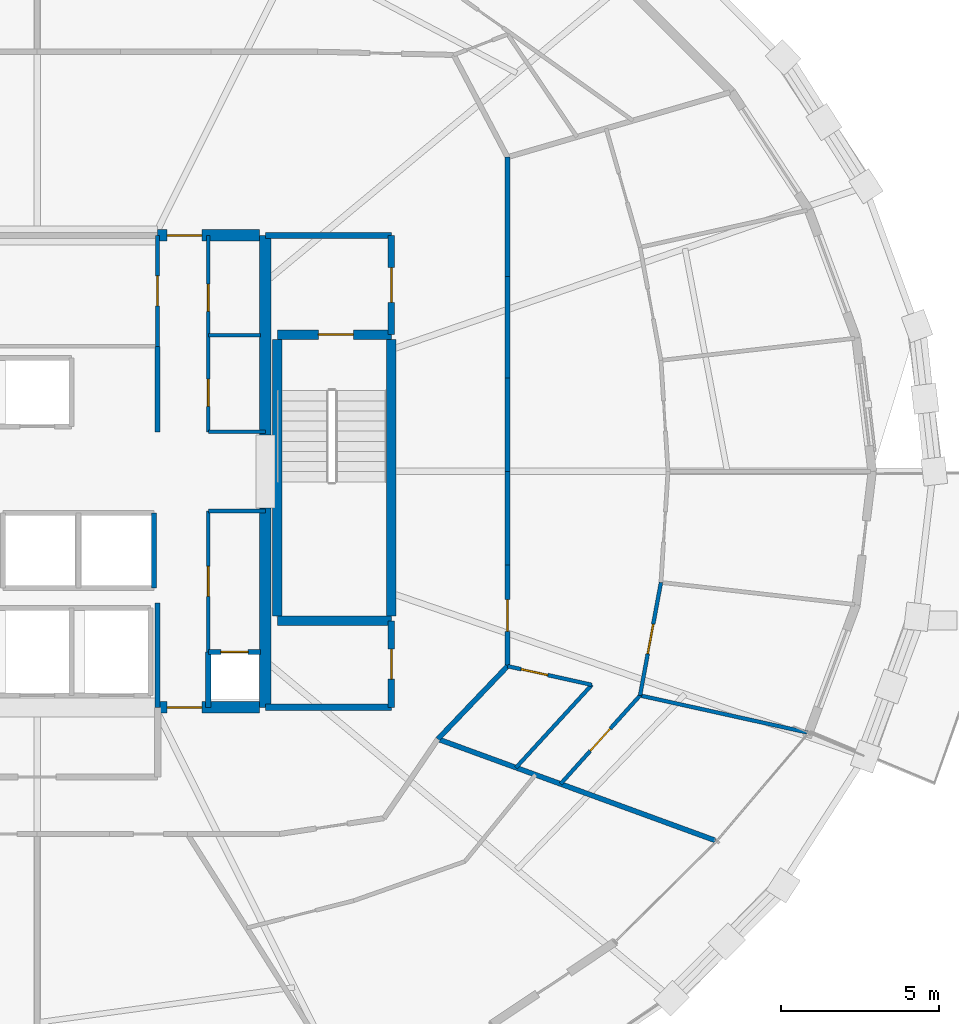
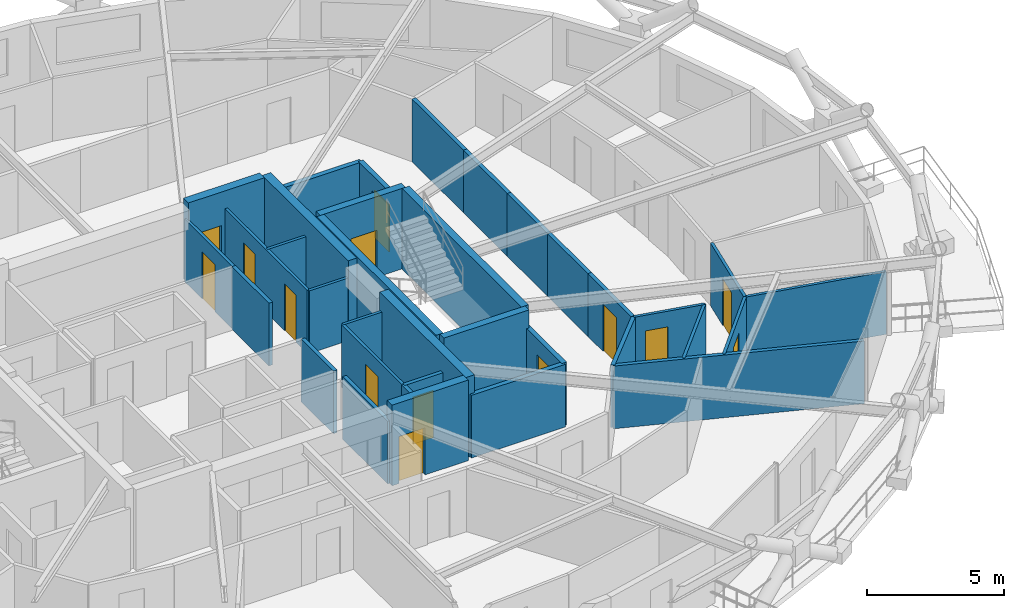
# One storey, part 11 of 14: 35 walls, 14 doors, 14 openings.
"""IFC4 building model written with IfcOpenShell, lengths in metres."""

from ifc_helpers import new_model, si_unit, direction, frame, frame_2d, origin, place, context, subcontext, project, spatial, rectangle, extrude, material, layer, layer_set, type_object, element, fill, save


model = new_model("IFC4")

# Units and contexts
model_context = context("Model", 3, precision=1e-05, world=origin(), true_north=direction((0.0, 1.0)))
body_context = subcontext(model_context, "Body", "Model", "MODEL_VIEW")
ifc_project = project(units=[si_unit("LENGTHUNIT", "METRE"), si_unit("AREAUNIT", "SQUARE_METRE"), si_unit("VOLUMEUNIT", "CUBIC_METRE"), si_unit("PLANEANGLEUNIT", "RADIAN"), si_unit("MASSUNIT", "GRAM", prefix="KILO")], contexts=[model_context])

# Site, building, storey
site_placement = place(None, origin())
site = spatial("IfcSite", under=ifc_project, at=site_placement, CompositionType="ELEMENT")
building_placement = place(site_placement, origin())
building = spatial("IfcBuilding", under=site, at=building_placement, Name="Veldorina Hangang Commons", CompositionType="ELEMENT")
storey_placement = place(building_placement, frame((0.0, 0.0, 149.60009765625)))
storey = spatial("IfcBuildingStorey", under=building, at=storey_placement, Name="L38", CompositionType="ELEMENT", Elevation=149.60009765625)

# Walls
ifc_material_1 = material(Name="Concrete C60/75", Category="concrete")
ifc_layer_1 = layer(ifc_material_1, 0.360107421875)
ifc_layer_set_1 = layer_set([ifc_layer_1], Name="Concrete C60/75")
wall_type_1 = type_object("IfcWallType", Name="CW-RC360-C60", PredefinedType="SHEAR", material=ifc_layer_set_1)
for number, where, z_axis, x_axis, name in (
    (1, (39.199951171875, 16.550048828125, 0.0), (0.0, 0.0, 1.0), (0.0, 1.0, 0.0), "L38 E south core shear wall"),
    (2, (39.199951171875, 25.14990234375, 0.0), (0.0, 0.0, 1.0), (0.0, 1.0, 0.0), "L38 E north core shear wall"),
):
    element("IfcWall", number, at=place(storey_placement, frame(where, z_axis=z_axis, x_axis=x_axis)), inside=storey, type_object=wall_type_1, Name=name, PredefinedType="SHEAR", context=body_context, shape_type="SweptSolid", body=[
        extrude(rectangle(XDim=6.300048828125, YDim=0.360107421875, at=frame_2d((3.14990234375, 0.0))), origin(), (0.0, 0.0, 1.0), 3.599853515625),
    ])

# Wall, opening, door
wall_1_placement = place(storey_placement, frame((35.800048828125, 16.550048828125, 0.0), z_axis=(0.0, 0.0, 1.0), x_axis=(1.0, 0.0, 0.0)))
wall_1 = element("IfcWall", 3, at=wall_1_placement, inside=storey, type_object=wall_type_1, Name="L38 south-east core shear wall", PredefinedType="SHEAR", context=body_context, shape_type="SweptSolid", body=[
    extrude(rectangle(XDim=3.219970703125, YDim=0.360107421875, at=frame_2d((1.60986328125, 0.0))), origin(), (0.0, 0.0, 1.0), 3.599853515625),
])
opening_1_placement = place(wall_1_placement, frame((0.300048828125, 0.0, 0.0)))
opening_1 = element("IfcOpeningElement", 4, at=opening_1_placement, cuts=wall_1, Name="Opening D-08", PredefinedType="OPENING", context=body_context, shape_type="SweptSolid", body=[
    extrude(rectangle(XDim=1.10009765625, YDim=2.10009765625, at=frame_2d((0.550048828125, 1.050048828125))), frame((0.0, 0.18994140625, 0.0), z_axis=(0.0, -1.0, 0.0), x_axis=(1.0, 0.0, 0.0)), (0.0, 0.0, 1.0), 0.380126953125),
])
ifc_material_2 = material(Name="Steel Fire-Rated Smoke Seal", Category="steel")
door_type_1 = type_object("IfcDoorType", Name="DR-FIRE-1100", OperationType="SINGLE_SWING_RIGHT", PredefinedType="DOOR", material=ifc_material_2)
door_1_placement = place(opening_1_placement, origin())
door_1 = element("IfcDoor", 5, at=door_1_placement, inside=storey, type_object=door_type_1, Name="L38 central lift lobby south corridor door", OperationType="SINGLE_SWING_RIGHT", OverallHeight=2.10009765625, OverallWidth=1.10009765625, PredefinedType="DOOR", context=body_context, shape_type="SweptSolid", body=[
    extrude(rectangle(XDim=1.10009765625, YDim=2.10009765625, at=frame_2d((0.550048828125, 1.050048828125))), frame((0.0, 0.02490234375, 0.0), z_axis=(0.0, -1.0, 0.0), x_axis=(1.0, 0.0, 0.0)), (0.0, 0.0, 1.0), 0.050048828125),
])
fill(opening_1, door_1)

wall_2_placement = place(storey_placement, frame((35.800048828125, 31.449951171875, 0.0), z_axis=(0.0, 0.0, 1.0), x_axis=(1.0, 0.0, 0.0)))
wall_2 = element("IfcWall", 6, at=wall_2_placement, inside=storey, type_object=wall_type_1, Name="L38 north-east core shear wall", PredefinedType="SHEAR", context=body_context, shape_type="SweptSolid", body=[
    extrude(rectangle(XDim=3.219970703125, YDim=0.360107421875, at=frame_2d((1.60986328125, 0.0))), origin(), (0.0, 0.0, 1.0), 3.599853515625),
])
opening_2_placement = place(wall_2_placement, frame((0.300048828125, 0.0, 0.0)))
opening_2 = element("IfcOpeningElement", 7, at=opening_2_placement, cuts=wall_2, Name="Opening D-08", PredefinedType="OPENING", context=body_context, shape_type="SweptSolid", body=[
    extrude(rectangle(XDim=1.10009765625, YDim=2.10009765625, at=frame_2d((0.550048828125, 1.050048828125))), frame((0.0, 0.18994140625, 0.0), z_axis=(0.0, -1.0, 0.0), x_axis=(1.0, 0.0, 0.0)), (0.0, 0.0, 1.0), 0.380126953125),
])
door_2_placement = place(opening_2_placement, origin())
door_2 = element("IfcDoor", 8, at=door_2_placement, inside=storey, type_object=door_type_1, Name="L38 central lift lobby north corridor door", OperationType="SINGLE_SWING_LEFT", OverallHeight=2.10009765625, OverallWidth=1.10009765625, PredefinedType="DOOR", context=body_context, shape_type="SweptSolid", body=[
    extrude(rectangle(XDim=1.10009765625, YDim=2.10009765625, at=frame_2d((0.550048828125, 1.050048828125))), frame((0.0, 0.02490234375, 0.0), z_axis=(0.0, -1.0, 0.0), x_axis=(1.0, 0.0, 0.0)), (0.0, 0.0, 1.0), 0.050048828125),
])
fill(opening_2, door_2)

# Walls
ifc_material_3 = material(Name="Concrete C50/60", Category="concrete")
ifc_layer_2 = layer(ifc_material_3, 0.300048828125)
ifc_layer_set_2 = layer_set([ifc_layer_2], Name="Concrete C50/60")
wall_type_2 = type_object("IfcWallType", Name="SW-STAIR-300", PredefinedType="SHEAR", material=ifc_layer_set_2)
for number, where, z_axis, x_axis, name in (
    (9, (43.179931640625, 19.429931640625, 0.0), (0.0, 0.0, 1.0), (0.0, 1.0, 0.0), "L38 ST2 outer stair shear wall"),
    (10, (39.580078125, 19.429931640625, 0.0), (0.0, 0.0, 1.0), (0.0, 1.0, 0.0), "L38 ST2 inner stair shear wall"),
):
    element("IfcWall", number, at=place(storey_placement, frame(where, z_axis=z_axis, x_axis=x_axis)), inside=storey, type_object=wall_type_2, Name=name, PredefinedType="SHEAR", context=body_context, shape_type="SweptSolid", body=[
        extrude(rectangle(XDim=8.739990234375, YDim=0.300048828125, at=frame_2d((4.3701171875, 0.0))), origin(), (0.0, 0.0, 1.0), 3.599853515625),
    ])
wall_3_placement = place(storey_placement, frame((39.580078125, 19.280029296875, 0.0), z_axis=(0.0, 0.0, 1.0), x_axis=(1.0, 0.0, 0.0)))
element("IfcWall", 11, at=wall_3_placement, inside=storey, type_object=wall_type_2, Name="L38 ST2 south stair shear wall", PredefinedType="SHEAR", context=body_context, shape_type="SweptSolid", body=[
    extrude(rectangle(XDim=3.599853515625, YDim=0.300048828125, at=frame_2d((1.7998046875, 0.0))), origin(), (0.0, 0.0, 1.0), 3.599853515625),
])

# Wall, opening, door
wall_4_placement = place(storey_placement, frame((39.580078125, 28.320068359375, 0.0), z_axis=(0.0, 0.0, 1.0), x_axis=(1.0, 0.0, 0.0)))
wall_4 = element("IfcWall", 12, at=wall_4_placement, inside=storey, type_object=wall_type_2, Name="L38 ST2 north stair shear wall", PredefinedType="SHEAR", context=body_context, shape_type="SweptSolid", body=[
    extrude(rectangle(XDim=3.599853515625, YDim=0.300048828125, at=frame_2d((1.7998046875, 0.0))), origin(), (0.0, 0.0, 1.0), 3.599853515625),
])
opening_3_placement = place(wall_4_placement, frame((1.300048828125, 0.0, 0.0)))
opening_3 = element("IfcOpeningElement", 13, at=opening_3_placement, cuts=wall_4, Name="Opening D-08", PredefinedType="OPENING", context=body_context, shape_type="SweptSolid", body=[
    extrude(rectangle(XDim=1.10009765625, YDim=2.10009765625, at=frame_2d((0.550048828125, 1.050048828125))), frame((0.0, 0.16015625, 0.0), z_axis=(0.0, -1.0, 0.0), x_axis=(1.0, 0.0, 0.0)), (0.0, 0.0, 1.0), 0.320068359375),
])
door_3_placement = place(opening_3_placement, origin())
door_3 = element("IfcDoor", 14, at=door_3_placement, inside=storey, type_object=door_type_1, Name="L38 Special Escape Stair ST-2 door", OperationType="SINGLE_SWING_RIGHT", OverallHeight=2.10009765625, OverallWidth=1.10009765625, PredefinedType="DOOR", context=body_context, shape_type="SweptSolid", body=[
    extrude(rectangle(XDim=1.10009765625, YDim=2.10009765625, at=frame_2d((0.550048828125, 1.050048828125))), frame((0.0, 0.02490234375, 0.0), z_axis=(0.0, -1.0, 0.0), x_axis=(1.0, 0.0, 0.0)), (0.0, 0.0, 1.0), 0.050048828125),
])
fill(opening_3, door_3)

# Walls
ifc_material_4 = material(Name="Gypsum Fire-Rated Twin Stud Wall", Category="gypsum")
ifc_layer_3 = layer(ifc_material_4, 0.159912109375)
ifc_layer_set_3 = layer_set([ifc_layer_3], Name="Gypsum Fire-Rated Twin Stud Wall")
wall_type_3 = type_object("IfcWallType", Name="WL-FIRE-160", PredefinedType="SOLIDWALL", material=ifc_layer_set_3)
wall_5_placement = place(storey_placement, frame((35.800048828125, 16.550048828125, 0.0), z_axis=(0.0, 0.0, 1.0), x_axis=(0.0, 1.0, 0.0)))
element("IfcWall", 15, at=wall_5_placement, inside=storey, type_object=wall_type_3, Name="L38 Lift passage SW wall 009", PredefinedType="SOLIDWALL", context=body_context, shape_type="SweptSolid", body=[
    extrude(rectangle(XDim=3.300048828125, YDim=0.159912109375, at=frame_2d((1.64990234375, 0.0))), origin(), (0.0, 0.0, 1.0), 2.7998046875),
])
wall_6_placement = place(storey_placement, frame((37.39990234375, 16.550048828125, 0.0), z_axis=(0.0, 0.0, 1.0), x_axis=(0.0, 1.0, 0.0)))
element("IfcWall", 16, at=wall_6_placement, inside=storey, type_object=wall_type_3, Name="L38 Lift passage SE stub 010", PredefinedType="SOLIDWALL", context=body_context, shape_type="SweptSolid", body=[
    extrude(rectangle(XDim=1.75, YDim=0.159912109375, at=frame_2d((0.875, 0.0))), origin(), (0.0, 0.0, 1.0), 2.7998046875),
])
wall_7_placement = place(storey_placement, frame((35.800048828125, 25.25, 0.0), z_axis=(0.0, 0.0, 1.0), x_axis=(0.0, 1.0, 0.0)))
element("IfcWall", 17, at=wall_7_placement, inside=storey, type_object=wall_type_3, Name="L38 Lift passage NW lower wall 011", PredefinedType="SOLIDWALL", context=body_context, shape_type="SweptSolid", body=[
    extrude(rectangle(XDim=2.699951171875, YDim=0.159912109375, at=frame_2d((1.35009765625, 0.0))), origin(), (0.0, 0.0, 1.0), 2.7998046875),
])
wall_8_placement = place(storey_placement, frame((35.679931640625, 20.320068359375, 0.0), z_axis=(0.0, 0.0, 1.0), x_axis=(0.0, 1.0, 0.0)))
element("IfcWall", 18, at=wall_8_placement, inside=storey, type_object=wall_type_3, Name="L38 SL-2 east shaft wall 024", PredefinedType="SOLIDWALL", context=body_context, shape_type="SweptSolid", body=[
    extrude(rectangle(XDim=2.35986328125, YDim=0.159912109375, at=frame_2d((1.179931640625, 0.0))), origin(), (0.0, 0.0, 1.0), 2.7998046875),
])

# Wall, opening, door
wall_9_placement = place(storey_placement, frame((37.39990234375, 18.300048828125, 0.0), z_axis=(0.0, 0.0, 1.0), x_axis=(1.0, 0.0, 0.0)))
wall_9 = element("IfcWall", 19, at=wall_9_placement, inside=storey, type_object=wall_type_3, Name="L38 Plumbing riser wall 036", PredefinedType="SOLIDWALL", context=body_context, shape_type="SweptSolid", body=[
    extrude(rectangle(XDim=1.650146484375, YDim=0.159912109375, at=frame_2d((0.8251953125, 0.0))), origin(), (0.0, 0.0, 1.0), 2.7998046875),
])
opening_4_placement = place(wall_9_placement, frame((0.39501953125, 0.0, 0.0)))
opening_4 = element("IfcOpeningElement", 20, at=opening_4_placement, cuts=wall_9, Name="Opening D-01N", PredefinedType="OPENING", context=body_context, shape_type="SweptSolid", body=[
    extrude(rectangle(XDim=0.860107421875, YDim=2.10009765625, at=frame_2d((0.43017578125, 1.050048828125))), frame((0.0, 0.08984375, 0.0), z_axis=(0.0, -1.0, 0.0), x_axis=(1.0, 0.0, 0.0)), (0.0, 0.0, 1.0), 0.179931640625),
])
ifc_material_5 = material(Name="Timber Fire-Rated Core", Category="wood")
door_type_2 = type_object("IfcDoorType", Name="DR-INT-860", OperationType="SINGLE_SWING_LEFT", PredefinedType="DOOR", material=ifc_material_5)
door_4_placement = place(opening_4_placement, origin())
door_4 = element("IfcDoor", 21, at=door_4_placement, inside=storey, type_object=door_type_2, Name="L38 Plumbing riser access door 013", OperationType="SINGLE_SWING_LEFT", OverallHeight=2.10009765625, OverallWidth=0.860107421875, PredefinedType="TRAPDOOR", context=body_context, shape_type="SweptSolid", body=[
    extrude(rectangle(XDim=0.860107421875, YDim=2.10009765625, at=frame_2d((0.43017578125, 1.050048828125))), frame((0.0, 0.02490234375, 0.0), z_axis=(0.0, -1.0, 0.0), x_axis=(1.0, 0.0, 0.0)), (0.0, 0.0, 1.0), 0.050048828125),
])
fill(opening_4, door_4)

# Walls
wall_10_placement = place(storey_placement, frame((46.85009765625, 24.0, 0.0), z_axis=(0.0, 0.0, 1.0), x_axis=(0.0, 1.0, 0.0)))
element("IfcWall", 22, at=wall_10_placement, inside=storey, type_object=wall_type_3, Name="L38 U-corridor outer wall 00 046", PredefinedType="SOLIDWALL", context=body_context, shape_type="SweptSolid", body=[
    extrude(rectangle(XDim=2.953857421875, YDim=0.159912109375, at=frame_2d((1.47705078125, 0.0))), origin(), (0.0, 0.0, 1.0), 2.7998046875),
])
wall_11_placement = place(storey_placement, frame((46.85009765625, 26.953857421875, 0.0), z_axis=(0.0, 0.0, 1.0), x_axis=(0.0, 1.0, 0.0)))
element("IfcWall", 23, at=wall_11_placement, inside=storey, type_object=wall_type_3, Name="L38 U-corridor outer wall 01 047", PredefinedType="SOLIDWALL", context=body_context, shape_type="SweptSolid", body=[
    extrude(rectangle(XDim=3.197265625, YDim=0.159912109375, at=frame_2d((1.5986328125, 0.0))), origin(), (0.0, 0.0, 1.0), 2.7998046875),
])
wall_12_placement = place(storey_placement, frame((46.85009765625, 30.151123046875, 0.0), z_axis=(0.0, 0.0, 1.0), x_axis=(0.0, 1.0, 0.0)))
element("IfcWall", 24, at=wall_12_placement, inside=storey, type_object=wall_type_3, Name="L38 U-corridor outer wall 02 048", PredefinedType="SOLIDWALL", context=body_context, shape_type="SweptSolid", body=[
    extrude(rectangle(XDim=3.771484375, YDim=0.159912109375, at=frame_2d((1.8857421875, 0.0))), origin(), (0.0, 0.0, 1.0), 2.7998046875),
])
wall_13_placement = place(storey_placement, frame((44.64990234375, 15.547607421875, 0.0), z_axis=(0.0, 0.0, 1.0), x_axis=(0.691055487108, 0.722801711216, 0.0)))
element("IfcWall", 25, at=wall_13_placement, inside=storey, type_object=wall_type_3, Name="L38 U-corridor outer wall 29 075", PredefinedType="SOLIDWALL", context=body_context, shape_type="SweptSolid", body=[
    extrude(rectangle(XDim=3.183837890625, YDim=0.159912109375, at=frame_2d((1.591796875, 0.0))), origin(), (0.0, 0.0, 1.0), 2.7998046875),
])

# Wall, opening, door
wall_14_placement = place(storey_placement, frame((46.85009765625, 17.848876953125, 0.0), z_axis=(0.0, 0.0, 1.0), x_axis=(0.0, 1.0, 0.0)))
wall_14 = element("IfcWall", 26, at=wall_14_placement, inside=storey, type_object=wall_type_3, Name="L38 U-corridor outer wall 30 076", PredefinedType="SOLIDWALL", context=body_context, shape_type="SweptSolid", body=[
    extrude(rectangle(XDim=3.197265625, YDim=0.159912109375, at=frame_2d((1.5986328125, 0.0))), origin(), (0.0, 0.0, 1.0), 2.7998046875),
])
opening_5_placement = place(wall_14_placement, frame((1.0986328125, 0.0, 0.0)))
opening_5 = element("IfcOpeningElement", 27, at=opening_5_placement, cuts=wall_14, Name="Opening D-06", PredefinedType="OPENING", context=body_context, shape_type="SweptSolid", body=[
    extrude(rectangle(XDim=1.0, YDim=2.10009765625, at=frame_2d((0.5, 1.050048828125))), frame((0.0, 0.08984375, 0.0), z_axis=(0.0, -1.0, 0.0), x_axis=(1.0, 0.0, 0.0)), (0.0, 0.0, 1.0), 0.179931640625),
])
ifc_material_6 = material(Name="Timber Fire-Rated Entrance Core", Category="wood")
door_type_3 = type_object("IfcDoorType", Name="DR-UNIT-1000", OperationType="SINGLE_SWING_LEFT", PredefinedType="DOOR", material=ifc_material_6)
door_5_placement = place(opening_5_placement, origin())
door_5 = element("IfcDoor", 28, at=door_5_placement, inside=storey, type_object=door_type_3, Name="L38 Cluster 2 entrance door 023", OperationType="SINGLE_SWING_LEFT", OverallHeight=2.10009765625, OverallWidth=1.0, PredefinedType="DOOR", context=body_context, shape_type="SweptSolid", body=[
    extrude(rectangle(XDim=1.0, YDim=2.10009765625, at=frame_2d((0.5, 1.050048828125))), frame((0.0, 0.02490234375, 0.0), z_axis=(0.0, -1.0, 0.0), x_axis=(1.0, 0.0, 0.0)), (0.0, 0.0, 1.0), 0.050048828125),
])
fill(opening_5, door_5)

# Walls
wall_15_placement = place(storey_placement, frame((46.85009765625, 21.046142578125, 0.0), z_axis=(0.0, 0.0, 1.0), x_axis=(0.0, 1.0, 0.0)))
element("IfcWall", 29, at=wall_15_placement, inside=storey, type_object=wall_type_3, Name="L38 U-corridor outer wall 31 077", PredefinedType="SOLIDWALL", context=body_context, shape_type="SweptSolid", body=[
    extrude(rectangle(XDim=2.953857421875, YDim=0.159912109375, at=frame_2d((1.47705078125, 0.0))), origin(), (0.0, 0.0, 1.0), 2.7998046875),
])
wall_16_placement = place(storey_placement, frame((44.64990234375, 15.547607421875, 0.0), z_axis=(0.0, 0.0, 1.0), x_axis=(0.939222726392, -0.343308418524, 0.0)))
element("IfcWall", 30, at=wall_16_placement, inside=storey, type_object=wall_type_3, Name="L38 Unit party wall 29 082", PredefinedType="SOLIDWALL", context=body_context, shape_type="SweptSolid", body=[
    extrude(rectangle(XDim=9.32666015625, YDim=0.159912109375, at=frame_2d((4.663330078125, 0.0))), origin(), (0.0, 0.0, 1.0), 2.7998046875),
])

# Wall, opening, door
ifc_material_7 = material(Name="Concrete Blockwork Fire Wall C30/37", Category="masonry")
ifc_layer_4 = layer(ifc_material_7, 0.199951171875)
ifc_layer_set_4 = layer_set([ifc_layer_4], Name="Concrete Blockwork Fire Wall C30/37")
wall_type_4 = type_object("IfcWallType", Name="WL-FIRE-200", PredefinedType="SOLIDWALL", material=ifc_layer_set_4)
wall_17_placement = place(storey_placement, frame((43.179931640625, 28.320068359375, 0.0), z_axis=(0.0, 0.0, 1.0), x_axis=(0.0, 1.0, 0.0)))
wall_17 = element("IfcWall", 31, at=wall_17_placement, inside=storey, type_object=wall_type_4, Name="L38 East vestibule outer wall 003", PredefinedType="SOLIDWALL", context=body_context, shape_type="SweptSolid", body=[
    extrude(rectangle(XDim=3.1298828125, YDim=0.199951171875, at=frame_2d((1.56494140625, 0.0))), origin(), (0.0, 0.0, 1.0), 2.7998046875),
])
opening_6_placement = place(wall_17_placement, frame((1.014892578125, 0.0, 0.0)))
opening_6 = element("IfcOpeningElement", 32, at=opening_6_placement, cuts=wall_17, Name="Opening D-08", PredefinedType="OPENING", context=body_context, shape_type="SweptSolid", body=[
    extrude(rectangle(XDim=1.10009765625, YDim=2.10009765625, at=frame_2d((0.550048828125, 1.050048828125))), frame((0.0, 0.10986328125, 0.0), z_axis=(0.0, -1.0, 0.0), x_axis=(1.0, 0.0, 0.0)), (0.0, 0.0, 1.0), 0.219970703125),
])
door_6_placement = place(opening_6_placement, origin())
door_6 = element("IfcDoor", 33, at=door_6_placement, inside=storey, type_object=door_type_1, Name="L38 East vestibule east door 002", OperationType="SINGLE_SWING_RIGHT", OverallHeight=2.10009765625, OverallWidth=1.10009765625, PredefinedType="DOOR", context=body_context, shape_type="SweptSolid", body=[
    extrude(rectangle(XDim=1.10009765625, YDim=2.10009765625, at=frame_2d((0.550048828125, 1.050048828125))), frame((0.0, 0.02490234375, 0.0), z_axis=(0.0, -1.0, 0.0), x_axis=(1.0, 0.0, 0.0)), (0.0, 0.0, 1.0), 0.050048828125),
])
fill(opening_6, door_6)

# Wall
wall_18_placement = place(storey_placement, frame((39.199951171875, 31.449951171875, 0.0), z_axis=(0.0, 0.0, 1.0), x_axis=(1.0, 0.0, 0.0)))
element("IfcWall", 34, at=wall_18_placement, inside=storey, type_object=wall_type_4, Name="L38 East vestibule north wall 004", PredefinedType="SOLIDWALL", context=body_context, shape_type="SweptSolid", body=[
    extrude(rectangle(XDim=3.97998046875, YDim=0.199951171875, at=frame_2d((1.989990234375, 0.0))), origin(), (0.0, 0.0, 1.0), 2.7998046875),
])

# Wall, opening, door
wall_19_placement = place(storey_placement, frame((43.179931640625, 16.550048828125, 0.0), z_axis=(0.0, 0.0, 1.0), x_axis=(0.0, 1.0, 0.0)))
wall_19 = element("IfcWall", 35, at=wall_19_placement, inside=storey, type_object=wall_type_4, Name="L38 SE core room outer wall 007", PredefinedType="SOLIDWALL", context=body_context, shape_type="SweptSolid", body=[
    extrude(rectangle(XDim=2.72998046875, YDim=0.199951171875, at=frame_2d((1.364990234375, 0.0))), origin(), (0.0, 0.0, 1.0), 2.7998046875),
])
opening_7_placement = place(wall_19_placement, frame((0.889892578125, 0.0, 0.0)))
opening_7 = element("IfcOpeningElement", 36, at=opening_7_placement, cuts=wall_19, Name="Opening D-02", PredefinedType="OPENING", context=body_context, shape_type="SweptSolid", body=[
    extrude(rectangle(XDim=0.949951171875, YDim=2.10009765625, at=frame_2d((0.47509765625, 1.050048828125))), frame((0.0, 0.10986328125, 0.0), z_axis=(0.0, -1.0, 0.0), x_axis=(1.0, 0.0, 0.0)), (0.0, 0.0, 1.0), 0.219970703125),
])
ifc_material_8 = material(Name="Timber Solid Core Acoustic", Category="wood")
door_type_4 = type_object("IfcDoorType", Name="DR-INT-950", OperationType="SINGLE_SWING_LEFT", PredefinedType="DOOR", material=ifc_material_8)
door_7_placement = place(opening_7_placement, origin())
door_7 = element("IfcDoor", 37, at=door_7_placement, inside=storey, type_object=door_type_4, Name="L38 SE core WC door 004", OperationType="SINGLE_SWING_RIGHT", OverallHeight=2.10009765625, OverallWidth=0.949951171875, PredefinedType="DOOR", context=body_context, shape_type="SweptSolid", body=[
    extrude(rectangle(XDim=0.949951171875, YDim=2.10009765625, at=frame_2d((0.47509765625, 1.050048828125))), frame((0.0, 0.02490234375, 0.0), z_axis=(0.0, -1.0, 0.0), x_axis=(1.0, 0.0, 0.0)), (0.0, 0.0, 1.0), 0.050048828125),
])
fill(opening_7, door_7)

# Wall
wall_20_placement = place(storey_placement, frame((39.199951171875, 16.550048828125, 0.0), z_axis=(0.0, 0.0, 1.0), x_axis=(1.0, 0.0, 0.0)))
element("IfcWall", 38, at=wall_20_placement, inside=storey, type_object=wall_type_4, Name="L38 SE core room south wall 008", PredefinedType="SOLIDWALL", context=body_context, shape_type="SweptSolid", body=[
    extrude(rectangle(XDim=3.97998046875, YDim=0.199951171875, at=frame_2d((1.989990234375, 0.0))), origin(), (0.0, 0.0, 1.0), 2.7998046875),
])

# Wall, opening, door
ifc_material_9 = material(Name="Gypsum Acoustic Stud Partition", Category="gypsum")
ifc_layer_5 = layer(ifc_material_9, 0.1201171875)
ifc_layer_set_5 = layer_set([ifc_layer_5], Name="Gypsum Acoustic Stud Partition")
wall_type_5 = type_object("IfcWallType", Name="WL-PART-120", PredefinedType="PARTITIONING", material=ifc_layer_set_5)
wall_21_placement = place(storey_placement, frame((35.800048828125, 27.949951171875, 0.0), z_axis=(0.0, 0.0, 1.0), x_axis=(0.0, 1.0, 0.0)))
wall_21 = element("IfcWall", 39, at=wall_21_placement, inside=storey, type_object=wall_type_5, Name="L38 Merged north east wall 033", PredefinedType="PARTITIONING", context=body_context, shape_type="SweptSolid", body=[
    extrude(rectangle(XDim=3.5, YDim=0.1201171875, at=frame_2d((1.75, 0.0))), origin(), (0.0, 0.0, 1.0), 2.7998046875),
])
opening_8_placement = place(wall_21_placement, frame((1.27490234375, 0.0, 0.0)))
opening_8 = element("IfcOpeningElement", 40, at=opening_8_placement, cuts=wall_21, Name="Opening D-02", PredefinedType="OPENING", context=body_context, shape_type="SweptSolid", body=[
    extrude(rectangle(XDim=0.949951171875, YDim=2.10009765625, at=frame_2d((0.47509765625, 1.050048828125))), frame((0.0, 0.070068359375, 0.0), z_axis=(0.0, -1.0, 0.0), x_axis=(1.0, 0.0, 0.0)), (0.0, 0.0, 1.0), 0.14013671875),
])
door_8_placement = place(opening_8_placement, origin())
door_8 = element("IfcDoor", 41, at=door_8_placement, inside=storey, type_object=door_type_4, Name="L38 Merged north room lobby door 011", OperationType="SINGLE_SWING_LEFT", OverallHeight=2.10009765625, OverallWidth=0.949951171875, PredefinedType="DOOR", context=body_context, shape_type="SweptSolid", body=[
    extrude(rectangle(XDim=0.949951171875, YDim=2.10009765625, at=frame_2d((0.47509765625, 1.050048828125))), frame((0.0, 0.02490234375, 0.0), z_axis=(0.0, -1.0, 0.0), x_axis=(1.0, 0.0, 0.0)), (0.0, 0.0, 1.0), 0.050048828125),
])
fill(opening_8, door_8)

# Wall, openings, doors
wall_22_placement = place(storey_placement, frame((37.39990234375, 25.25, 0.0), z_axis=(0.0, 0.0, 1.0), x_axis=(0.0, 1.0, 0.0)))
wall_22 = element("IfcWall", 42, at=wall_22_placement, inside=storey, type_object=wall_type_5, Name="L38 NE strip lobby wall 040", PredefinedType="PARTITIONING", context=body_context, shape_type="SweptSolid", body=[
    extrude(rectangle(XDim=6.199951171875, YDim=0.1201171875, at=frame_2d((3.10009765625, 0.0))), origin(), (0.0, 0.0, 1.0), 2.7998046875),
])
opening_9_placement = place(wall_22_placement, frame((0.800048828125, 0.0, 0.0)))
opening_9 = element("IfcOpeningElement", 43, at=opening_9_placement, cuts=wall_22, Name="Opening D-01", PredefinedType="OPENING", context=body_context, shape_type="SweptSolid", body=[
    extrude(rectangle(XDim=0.860107421875, YDim=2.10009765625, at=frame_2d((0.43017578125, 1.050048828125))), frame((0.0, 0.070068359375, 0.0), z_axis=(0.0, -1.0, 0.0), x_axis=(1.0, 0.0, 0.0)), (0.0, 0.0, 1.0), 0.14013671875),
])
opening_10_placement = place(wall_22_placement, frame((3.800048828125, 0.0, 0.0)))
opening_10 = element("IfcOpeningElement", 44, at=opening_10_placement, cuts=wall_22, Name="Opening D-01", PredefinedType="OPENING", context=body_context, shape_type="SweptSolid", body=[
    extrude(rectangle(XDim=0.860107421875, YDim=2.10009765625, at=frame_2d((0.43017578125, 1.050048828125))), frame((0.0, 0.070068359375, 0.0), z_axis=(0.0, -1.0, 0.0), x_axis=(1.0, 0.0, 0.0)), (0.0, 0.0, 1.0), 0.14013671875),
])
ifc_material_10 = material(Name="Timber Moisture-Resistant Core", Category="wood")
door_type_5 = type_object("IfcDoorType", Name="DR-WET-860", OperationType="SINGLE_SWING_LEFT", PredefinedType="DOOR", material=ifc_material_10)
door_9_placement = place(opening_9_placement, origin())
door_9 = element("IfcDoor", 45, at=door_9_placement, inside=storey, type_object=door_type_5, Name="L38 Electrical closet door 017", OperationType="SINGLE_SWING_LEFT", OverallHeight=2.10009765625, OverallWidth=0.860107421875, PredefinedType="DOOR", context=body_context, shape_type="SweptSolid", body=[
    extrude(rectangle(XDim=0.860107421875, YDim=2.10009765625, at=frame_2d((0.43017578125, 1.050048828125))), frame((0.0, 0.02490234375, 0.0), z_axis=(0.0, -1.0, 0.0), x_axis=(1.0, 0.0, 0.0)), (0.0, 0.0, 1.0), 0.050048828125),
])
fill(opening_9, door_9)
door_10_placement = place(opening_10_placement, origin())
door_10 = element("IfcDoor", 46, at=door_10_placement, inside=storey, type_object=door_type_5, Name="L38 IT closet door 018", OperationType="SINGLE_SWING_RIGHT", OverallHeight=2.10009765625, OverallWidth=0.860107421875, PredefinedType="DOOR", context=body_context, shape_type="SweptSolid", body=[
    extrude(rectangle(XDim=0.860107421875, YDim=2.10009765625, at=frame_2d((0.43017578125, 1.050048828125))), frame((0.0, 0.02490234375, 0.0), z_axis=(0.0, -1.0, 0.0), x_axis=(1.0, 0.0, 0.0)), (0.0, 0.0, 1.0), 0.050048828125),
])
fill(opening_10, door_10)

# Wall
wall_23_placement = place(storey_placement, frame((37.39990234375, 25.25, 0.0), z_axis=(0.0, 0.0, 1.0), x_axis=(1.0, 0.0, 0.0)))
element("IfcWall", 47, at=wall_23_placement, inside=storey, type_object=wall_type_5, Name="L38 NE strip south return wall 041", PredefinedType="PARTITIONING", context=body_context, shape_type="SweptSolid", body=[
    extrude(rectangle(XDim=1.800048828125, YDim=0.1201171875, at=frame_2d((0.89990234375, 0.0))), origin(), (0.0, 0.0, 1.0), 2.7998046875),
])

# Wall, opening, door
wall_24_placement = place(storey_placement, frame((37.39990234375, 18.300048828125, 0.0), z_axis=(0.0, 0.0, 1.0), x_axis=(0.0, 1.0, 0.0)))
wall_24 = element("IfcWall", 48, at=wall_24_placement, inside=storey, type_object=wall_type_5, Name="L38 SE strip lobby wall 042", PredefinedType="PARTITIONING", context=body_context, shape_type="SweptSolid", body=[
    extrude(rectangle(XDim=4.449951171875, YDim=0.1201171875, at=frame_2d((2.22509765625, 0.0))), origin(), (0.0, 0.0, 1.0), 2.7998046875),
])
opening_11_placement = place(wall_24_placement, frame((1.75, 0.0, 0.0)))
opening_11 = element("IfcOpeningElement", 49, at=opening_11_placement, cuts=wall_24, Name="Opening D-02", PredefinedType="OPENING", context=body_context, shape_type="SweptSolid", body=[
    extrude(rectangle(XDim=0.949951171875, YDim=2.10009765625, at=frame_2d((0.47509765625, 1.050048828125))), frame((0.0, 0.070068359375, 0.0), z_axis=(0.0, -1.0, 0.0), x_axis=(1.0, 0.0, 0.0)), (0.0, 0.0, 1.0), 0.14013671875),
])
door_11_placement = place(opening_11_placement, origin())
door_11 = element("IfcDoor", 50, at=door_11_placement, inside=storey, type_object=door_type_4, Name="L38 Cleaners supply door 019", OperationType="SINGLE_SWING_LEFT", OverallHeight=2.10009765625, OverallWidth=0.949951171875, PredefinedType="DOOR", context=body_context, shape_type="SweptSolid", body=[
    extrude(rectangle(XDim=0.949951171875, YDim=2.10009765625, at=frame_2d((0.47509765625, 1.050048828125))), frame((0.0, 0.02490234375, 0.0), z_axis=(0.0, -1.0, 0.0), x_axis=(1.0, 0.0, 0.0)), (0.0, 0.0, 1.0), 0.050048828125),
])
fill(opening_11, door_11)

# Walls
wall_25_placement = place(storey_placement, frame((37.39990234375, 22.75, 0.0), z_axis=(0.0, 0.0, 1.0), x_axis=(1.0, 0.0, 0.0)))
element("IfcWall", 51, at=wall_25_placement, inside=storey, type_object=wall_type_5, Name="L38 SE strip north return wall 043", PredefinedType="PARTITIONING", context=body_context, shape_type="SweptSolid", body=[
    extrude(rectangle(XDim=1.800048828125, YDim=0.1201171875, at=frame_2d((0.89990234375, 0.0))), origin(), (0.0, 0.0, 1.0), 2.7998046875),
])
wall_26_placement = place(storey_placement, frame((37.39990234375, 28.300048828125, 0.0), z_axis=(0.0, 0.0, 1.0), x_axis=(1.0, 0.0, 0.0)))
element("IfcWall", 52, at=wall_26_placement, inside=storey, type_object=wall_type_5, Name="L38 NE mid wall 045", PredefinedType="PARTITIONING", context=body_context, shape_type="SweptSolid", body=[
    extrude(rectangle(XDim=1.650146484375, YDim=0.1201171875, at=frame_2d((0.8251953125, 0.0))), origin(), (0.0, 0.0, 1.0), 2.7998046875),
])
wall_27_placement = place(storey_placement, frame((47.115966796875, 14.646240234375, 0.0), z_axis=(0.0, 0.0, 1.0), x_axis=(0.675771389029, 0.737111273669, 0.0)))
element("IfcWall", 53, at=wall_27_placement, inside=storey, type_object=wall_type_5, Name="L38 Cluster 2 bath front wall 083", PredefinedType="PARTITIONING", context=body_context, shape_type="SweptSolid", body=[
    extrude(rectangle(XDim=3.54638671875, YDim=0.1201171875, at=frame_2d((1.773193359375, 0.0))), origin(), (0.0, 0.0, 1.0), 2.7998046875),
])

# Wall, opening, door
wall_28_placement = place(storey_placement, frame((46.85009765625, 17.848876953125, 0.0), z_axis=(0.0, 0.0, 1.0), x_axis=(0.976420347176, -0.215877987808, 0.0)))
wall_28 = element("IfcWall", 54, at=wall_28_placement, inside=storey, type_object=wall_type_5, Name="L38 Cluster 2 bath side wall 084", PredefinedType="PARTITIONING", context=body_context, shape_type="SweptSolid", body=[
    extrude(rectangle(XDim=2.7265625, YDim=0.1201171875, at=frame_2d((1.36328125, 0.0))), origin(), (0.0, 0.0, 1.0), 2.7998046875),
])
opening_12_placement = place(wall_28_placement, frame((0.43994140625, 0.0, 0.0)))
opening_12 = element("IfcOpeningElement", 55, at=opening_12_placement, cuts=wall_28, Name="Opening D-01", PredefinedType="OPENING", context=body_context, shape_type="SweptSolid", body=[
    extrude(rectangle(XDim=0.860107421875, YDim=2.10009765625, at=frame_2d((0.43017578125, 1.050048828125))), frame((0.0, 0.070068359375, 0.0), z_axis=(0.0, -1.0, 0.0), x_axis=(1.0, 0.0, 0.0)), (0.0, 0.0, 1.0), 0.14013671875),
])
door_12_placement = place(opening_12_placement, origin())
door_12 = element("IfcDoor", 56, at=door_12_placement, inside=storey, type_object=door_type_5, Name="L38 Cluster 2 shared bathroom door 022", OperationType="SINGLE_SWING_RIGHT", OverallHeight=2.10009765625, OverallWidth=0.860107421875, PredefinedType="DOOR", context=body_context, shape_type="SweptSolid", body=[
    extrude(rectangle(XDim=0.860107421875, YDim=2.10009765625, at=frame_2d((0.43017578125, 1.050048828125))), frame((0.0, 0.02490234375, 0.0), z_axis=(0.0, -1.0, 0.0), x_axis=(1.0, 0.0, 0.0)), (0.0, 0.0, 1.0), 0.050048828125),
])
fill(opening_12, door_12)

wall_29_placement = place(storey_placement, frame((48.52490234375, 14.131103515625, 0.0), z_axis=(0.0, 0.0, 1.0), x_axis=(0.668314174757, 0.743879132533, 0.0)))
wall_29 = element("IfcWall", 57, at=wall_29_placement, inside=storey, type_object=wall_type_5, Name="L38 Cluster 2 bed 1 front wall 085", PredefinedType="PARTITIONING", context=body_context, shape_type="SweptSolid", body=[
    extrude(rectangle(XDim=3.754150390625, YDim=0.1201171875, at=frame_2d((1.876953125, 0.0))), origin(), (0.0, 0.0, 1.0), 2.7998046875),
])
opening_13_placement = place(wall_29_placement, frame((1.402099609375, 0.0, 0.0)))
opening_13 = element("IfcOpeningElement", 58, at=opening_13_placement, cuts=wall_29, Name="Opening D-02", PredefinedType="OPENING", context=body_context, shape_type="SweptSolid", body=[
    extrude(rectangle(XDim=0.949951171875, YDim=2.10009765625, at=frame_2d((0.47509765625, 1.050048828125))), frame((0.0, 0.070068359375, 0.0), z_axis=(0.0, -1.0, 0.0), x_axis=(1.0, 0.0, 0.0)), (0.0, 0.0, 1.0), 0.14013671875),
])
door_13_placement = place(opening_13_placement, origin())
door_13 = element("IfcDoor", 59, at=door_13_placement, inside=storey, type_object=door_type_4, Name="L38 Cluster 2 bed 1 door 024", OperationType="SINGLE_SWING_RIGHT", OverallHeight=2.10009765625, OverallWidth=0.949951171875, PredefinedType="DOOR", context=body_context, shape_type="SweptSolid", body=[
    extrude(rectangle(XDim=0.949951171875, YDim=2.10009765625, at=frame_2d((0.47509765625, 1.050048828125))), frame((0.0, 0.02490234375, 0.0), z_axis=(0.0, -1.0, 0.0), x_axis=(1.0, 0.0, 0.0)), (0.0, 0.0, 1.0), 0.050048828125),
])
fill(opening_13, door_13)

wall_30_placement = place(storey_placement, frame((51.033935546875, 16.923828125, 0.0), z_axis=(0.0, 0.0, 1.0), x_axis=(0.181807554869, 0.9833341309, 0.0)))
wall_30 = element("IfcWall", 60, at=wall_30_placement, inside=storey, type_object=wall_type_5, Name="L38 Cluster 2 bed 2 front wall 086", PredefinedType="PARTITIONING", context=body_context, shape_type="SweptSolid", body=[
    extrude(rectangle(XDim=3.631103515625, YDim=0.1201171875, at=frame_2d((1.8154296875, 0.0))), origin(), (0.0, 0.0, 1.0), 2.7998046875),
])
opening_14_placement = place(wall_30_placement, frame((1.340576171875, 0.0, 0.0)))
opening_14 = element("IfcOpeningElement", 61, at=opening_14_placement, cuts=wall_30, Name="Opening D-02", PredefinedType="OPENING", context=body_context, shape_type="SweptSolid", body=[
    extrude(rectangle(XDim=0.949951171875, YDim=2.10009765625, at=frame_2d((0.47509765625, 1.050048828125))), frame((0.0, 0.070068359375, 0.0), z_axis=(0.0, -1.0, 0.0), x_axis=(1.0, 0.0, 0.0)), (0.0, 0.0, 1.0), 0.14013671875),
])
door_14_placement = place(opening_14_placement, origin())
door_14 = element("IfcDoor", 62, at=door_14_placement, inside=storey, type_object=door_type_4, Name="L38 Cluster 2 bed 2 door 025", OperationType="SINGLE_SWING_LEFT", OverallHeight=2.10009765625, OverallWidth=0.949951171875, PredefinedType="DOOR", context=body_context, shape_type="SweptSolid", body=[
    extrude(rectangle(XDim=0.949951171875, YDim=2.10009765625, at=frame_2d((0.47509765625, 1.050048828125))), frame((0.0, 0.02490234375, 0.0), z_axis=(0.0, -1.0, 0.0), x_axis=(1.0, 0.0, 0.0)), (0.0, 0.0, 1.0), 0.050048828125),
])
fill(opening_14, door_14)

# Wall
wall_31_placement = place(storey_placement, frame((51.033935546875, 16.923828125, 0.0), z_axis=(0.0, 0.0, 1.0), x_axis=(0.976410849666, -0.21592094075, 0.0)))
element("IfcWall", 63, at=wall_31_placement, inside=storey, type_object=wall_type_5, Name="L38 Cluster 2 bed divider 1 087", PredefinedType="PARTITIONING", context=body_context, shape_type="SweptSolid", body=[
    extrude(rectangle(XDim=5.403564453125, YDim=0.1201171875, at=frame_2d((2.70166015625, 0.0))), origin(), (0.0, 0.0, 1.0), 2.7998046875),
])

save(model, "model.ifc")
